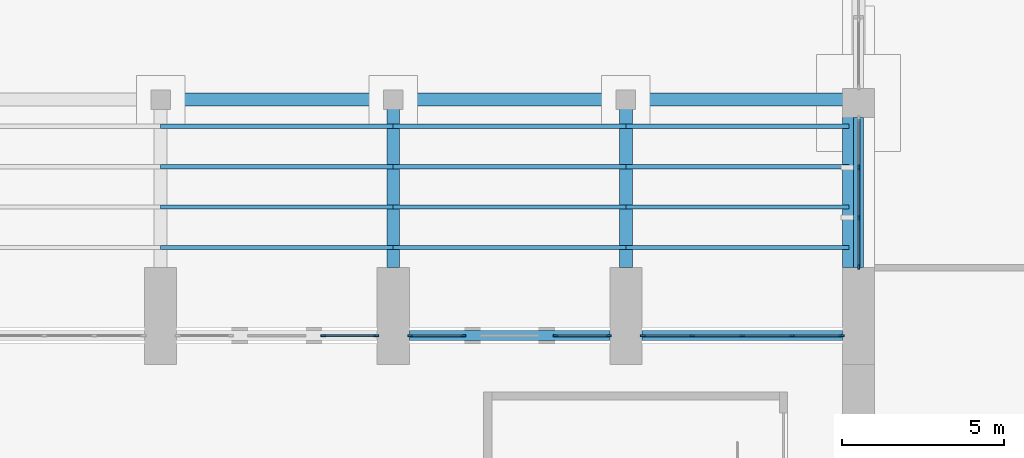
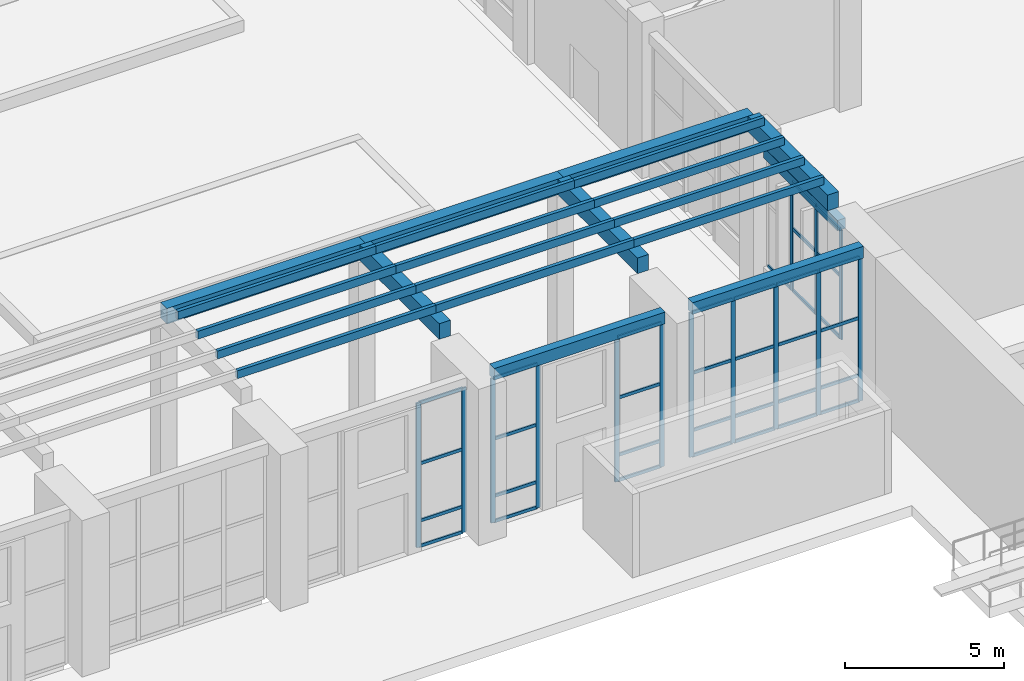
# One storey, part 21 of 70: 61 members, 9 beams, 5 elements without a shape of their own.
"""IFC4 building model written with IfcOpenShell, lengths in metres."""

from ifc_helpers import new_model, si_unit, direction, frame, origin, origin_2d, place, context, subcontext, project, spatial, rectangle, extrude, material, layer, layer_set, material_profile, profile_set, type_object, element, aggregate, save


model = new_model("IFC4")

# Units and contexts
model_context = context("Model", 3, precision=1e-05, world=origin(), true_north=direction((0.0, 1.0)))
body_context = subcontext(model_context, "Body", "Model", "MODEL_VIEW")
ifc_project = project(units=[si_unit("LENGTHUNIT", "METRE"), si_unit("AREAUNIT", "SQUARE_METRE"), si_unit("VOLUMEUNIT", "CUBIC_METRE"), si_unit("PLANEANGLEUNIT", "RADIAN"), si_unit("MASSUNIT", "GRAM", prefix="KILO")], contexts=[model_context])

# Site, building, storey
site_placement = place(None, origin())
site = spatial("IfcSite", under=ifc_project, at=site_placement, CompositionType="ELEMENT")
building_placement = place(site_placement, origin())
building = spatial("IfcBuilding", under=site, at=building_placement, Name="Vermilion Court Aquatics Centre", CompositionType="ELEMENT")
storey_placement = place(building_placement, origin())
storey = spatial("IfcBuildingStorey", under=building, at=storey_placement, Name="L00", CompositionType="ELEMENT", Elevation=0.0)

# Beams
ifc_material_1 = material(Name="Concrete 5000 psi", Category="concrete")
ifc_material_profile_1 = material_profile(ifc_material_1, rectangle(XDim=0.39990234375, YDim=0.60009765625, at=origin_2d()), Name="RC 400x600")
ifc_profile_set_1 = profile_set([ifc_material_profile_1], Name="Concrete 5000 psi")
beam_type_1 = type_object("IfcBeamType", Name="Court arcade beam RC 400x600", PredefinedType="BEAM", material=ifc_profile_set_1)
for number, where, z_axis, x_axis, name in (
    (1, (129.60009765625, 66.89990234375, 6.300048828125), (0.0, 1.0, 0.0), (-1.0, 0.0, 0.0), "Court arcade cross beam 17"),
    (2, (136.800048828125, 66.89990234375, 6.300048828125), (0.0, 1.0, 0.0), (-1.0, 0.0, 0.0), "Court arcade cross beam 18"),
    (3, (143.699951171875, 66.89990234375, 6.300048828125), (0.0, 1.0, 0.0), (-1.0, 0.0, 0.0), "Court arcade cross beam 19"),
):
    element("IfcBeam", number, at=place(storey_placement, frame(where, z_axis=z_axis, x_axis=x_axis)), inside=storey, type_object=beam_type_1, Name=name, PredefinedType="BEAM", context=body_context, shape_type="SweptSolid", body=[
        extrude(rectangle(XDim=0.39990234375, YDim=0.60009765625, at=origin_2d()), origin(), (0.0, 0.0, 1.0), 5.0),
    ])
beam_1_placement = place(storey_placement, frame((122.39990234375, 72.10009765625, 6.300048828125), z_axis=(1.0, 0.0, 0.0), x_axis=(0.0, 1.0, 0.0)))
element("IfcBeam", 4, at=beam_1_placement, inside=storey, type_object=beam_type_1, Name="Court arcade edge beam 16", PredefinedType="BEAM", context=body_context, shape_type="SweptSolid", body=[
    extrude(rectangle(XDim=0.39990234375, YDim=0.60009765625, at=origin_2d()), origin(), (0.0, 0.0, 1.0), 7.2001953125),
])
beam_2_placement = place(storey_placement, frame((129.60009765625, 72.10009765625, 6.300048828125), z_axis=(1.0, 0.0, 0.0), x_axis=(0.0, 1.0, 0.0)))
element("IfcBeam", 5, at=beam_2_placement, inside=storey, type_object=beam_type_1, Name="Court arcade edge beam 17", PredefinedType="BEAM", context=body_context, shape_type="SweptSolid", body=[
    extrude(rectangle(XDim=0.39990234375, YDim=0.60009765625, at=origin_2d()), origin(), (0.0, 0.0, 1.0), 7.199951171875),
])
beam_3_placement = place(storey_placement, frame((136.800048828125, 72.10009765625, 6.300048828125), z_axis=(1.0, 0.0, 0.0), x_axis=(0.0, 1.0, 0.0)))
element("IfcBeam", 6, at=beam_3_placement, inside=storey, type_object=beam_type_1, Name="Court arcade edge beam 18", PredefinedType="BEAM", context=body_context, shape_type="SweptSolid", body=[
    extrude(rectangle(XDim=0.39990234375, YDim=0.60009765625, at=origin_2d()), origin(), (0.0, 0.0, 1.0), 6.89990234375),
])

# Members
ifc_material_2 = material(Name="Glulam 24F-V4 Douglas fir", Category="wood")
ifc_material_profile_2 = material_profile(ifc_material_2, rectangle(XDim=0.1298828125, YDim=0.300048828125, at=origin_2d()), Name="GL24F 130x300")
ifc_profile_set_2 = profile_set([ifc_material_profile_2], Name="Glulam 24F-V4 Douglas fir")
member_type_1 = type_object("IfcMemberType", Name="Court arcade glulam slat GL24F 130x300", PredefinedType="MEMBER", material=ifc_profile_set_2)
for number, where, z_axis, x_axis, name in (
    (7, (122.39990234375, 67.52490234375, 6.75), (1.0, 0.0, 0.0), (0.0, 1.0, 0.0), "Court arcade slat 16.1"),
    (8, (122.39990234375, 68.77490234375, 6.75), (1.0, 0.0, 0.0), (0.0, 1.0, 0.0), "Court arcade slat 16.2"),
    (9, (122.39990234375, 70.02490234375, 6.75), (1.0, 0.0, 0.0), (0.0, 1.0, 0.0), "Court arcade slat 16.3"),
    (10, (122.39990234375, 71.27490234375, 6.75), (1.0, 0.0, 0.0), (0.0, 1.0, 0.0), "Court arcade slat 16.4"),
):
    element("IfcMember", number, at=place(storey_placement, frame(where, z_axis=z_axis, x_axis=x_axis)), inside=storey, type_object=member_type_1, Name=name, PredefinedType="MEMBER", context=body_context, shape_type="SweptSolid", body=[
        extrude(rectangle(XDim=0.1298828125, YDim=0.300048828125, at=origin_2d()), origin(), (0.0, 0.0, 1.0), 7.2001953125),
    ])
for number, where, z_axis, x_axis, name in (
    (11, (129.60009765625, 67.52490234375, 6.75), (1.0, 0.0, 0.0), (0.0, 1.0, 0.0), "Court arcade slat 17.1"),
    (12, (129.60009765625, 68.77490234375, 6.75), (1.0, 0.0, 0.0), (0.0, 1.0, 0.0), "Court arcade slat 17.2"),
    (13, (129.60009765625, 70.02490234375, 6.75), (1.0, 0.0, 0.0), (0.0, 1.0, 0.0), "Court arcade slat 17.3"),
    (14, (129.60009765625, 71.27490234375, 6.75), (1.0, 0.0, 0.0), (0.0, 1.0, 0.0), "Court arcade slat 17.4"),
):
    element("IfcMember", number, at=place(storey_placement, frame(where, z_axis=z_axis, x_axis=x_axis)), inside=storey, type_object=member_type_1, Name=name, PredefinedType="MEMBER", context=body_context, shape_type="SweptSolid", body=[
        extrude(rectangle(XDim=0.1298828125, YDim=0.300048828125, at=origin_2d()), origin(), (0.0, 0.0, 1.0), 7.199951171875),
    ])
for number, where, z_axis, x_axis, name in (
    (15, (136.800048828125, 67.52490234375, 6.75), (1.0, 0.0, 0.0), (0.0, 1.0, 0.0), "Court arcade slat 18.1"),
    (16, (136.800048828125, 68.77490234375, 6.75), (1.0, 0.0, 0.0), (0.0, 1.0, 0.0), "Court arcade slat 18.2"),
    (17, (136.800048828125, 70.02490234375, 6.75), (1.0, 0.0, 0.0), (0.0, 1.0, 0.0), "Court arcade slat 18.3"),
    (18, (136.800048828125, 71.27490234375, 6.75), (1.0, 0.0, 0.0), (0.0, 1.0, 0.0), "Court arcade slat 18.4"),
):
    element("IfcMember", number, at=place(storey_placement, frame(where, z_axis=z_axis, x_axis=x_axis)), inside=storey, type_object=member_type_1, Name=name, PredefinedType="MEMBER", context=body_context, shape_type="SweptSolid", body=[
        extrude(rectangle(XDim=0.1298828125, YDim=0.300048828125, at=origin_2d()), origin(), (0.0, 0.0, 1.0), 6.89990234375),
    ])

# Curtain wall, members
ifc_material_3 = material(Name="Aluminium 6063-T5", Category="aluminium")
curtain_wall_type_1 = type_object("IfcCurtainWallType", Name="Envelope curtain wall hall glazing L00", PredefinedType="NOTDEFINED", material=ifc_material_3)
curtain_wall_1_placement = place(storey_placement, origin())
curtain_wall_1 = element("IfcCurtainWall", 19, at=curtain_wall_1_placement, inside=storey, type_object=curtain_wall_type_1, Name="Hall entrance sidelight bay 16 L00 E", PredefinedType="NOTDEFINED")
ifc_material_4 = material(Name="Aluminium 6063-T5", Category="aluminium")
ifc_material_profile_3 = material_profile(ifc_material_4, rectangle(XDim=0.06005859375, YDim=0.159912109375, at=origin_2d()), Name="AL 60x160")
ifc_profile_set_3 = profile_set([ifc_material_profile_3], Name="Aluminium 6063-T5")
member_type_2 = type_object("IfcMemberType", Name="Envelope aluminium mullion 60x160", PredefinedType="MULLION", material=ifc_profile_set_3)
member_1_placement = place(storey_placement, frame((127.429931640625, 64.800048828125, 0.0), z_axis=(0.0, 0.0, 1.0), x_axis=(0.0, 1.0, 0.0)))
member_1 = element("IfcMember", 20, at=member_1_placement, type_object=member_type_2, Name="ECW1 mullion 1", PredefinedType="MULLION", context=body_context, shape_type="SweptSolid", body=[
    extrude(rectangle(XDim=0.06005859375, YDim=0.159912109375, at=origin_2d()), origin(), (0.0, 0.0, 1.0), 5.550048828125),
])
member_2_placement = place(storey_placement, frame((129.070068359375, 64.800048828125, 0.0), z_axis=(0.0, 0.0, 1.0), x_axis=(0.0, 1.0, 0.0)))
member_2 = element("IfcMember", 21, at=member_2_placement, type_object=member_type_2, Name="ECW1 mullion 2", PredefinedType="MULLION", context=body_context, shape_type="SweptSolid", body=[
    extrude(rectangle(XDim=0.06005859375, YDim=0.159912109375, at=origin_2d()), origin(), (0.0, 0.0, 1.0), 5.550048828125),
])

curtain_wall_2_placement = place(storey_placement, origin())
curtain_wall_2 = element("IfcCurtainWall", 22, at=curtain_wall_2_placement, inside=storey, type_object=curtain_wall_type_1, Name="Hall entrance sidelight bay 17 L00 W", PredefinedType="NOTDEFINED")
member_3_placement = place(storey_placement, frame((130.1298828125, 64.800048828125, 0.0), z_axis=(0.0, 0.0, 1.0), x_axis=(0.0, 1.0, 0.0)))
member_3 = element("IfcMember", 23, at=member_3_placement, type_object=member_type_2, Name="ECW1 mullion 1", PredefinedType="MULLION", context=body_context, shape_type="SweptSolid", body=[
    extrude(rectangle(XDim=0.06005859375, YDim=0.159912109375, at=origin_2d()), origin(), (0.0, 0.0, 1.0), 5.550048828125),
])
member_4_placement = place(storey_placement, frame((131.77001953125, 64.800048828125, 0.0), z_axis=(0.0, 0.0, 1.0), x_axis=(0.0, 1.0, 0.0)))
member_4 = element("IfcMember", 24, at=member_4_placement, type_object=member_type_2, Name="ECW1 mullion 2", PredefinedType="MULLION", context=body_context, shape_type="SweptSolid", body=[
    extrude(rectangle(XDim=0.06005859375, YDim=0.159912109375, at=origin_2d()), origin(), (0.0, 0.0, 1.0), 5.550048828125),
])

curtain_wall_3_placement = place(storey_placement, origin())
curtain_wall_3 = element("IfcCurtainWall", 25, at=curtain_wall_3_placement, inside=storey, type_object=curtain_wall_type_1, Name="Hall entrance sidelight bay 17 L00 E", PredefinedType="NOTDEFINED")
member_5_placement = place(storey_placement, frame((134.6298828125, 64.800048828125, 0.0), z_axis=(0.0, 0.0, 1.0), x_axis=(0.0, 1.0, 0.0)))
member_5 = element("IfcMember", 26, at=member_5_placement, type_object=member_type_2, Name="ECW1 mullion 1", PredefinedType="MULLION", context=body_context, shape_type="SweptSolid", body=[
    extrude(rectangle(XDim=0.06005859375, YDim=0.159912109375, at=origin_2d()), origin(), (0.0, 0.0, 1.0), 5.550048828125),
])
member_6_placement = place(storey_placement, frame((136.27001953125, 64.800048828125, 0.0), z_axis=(0.0, 0.0, 1.0), x_axis=(0.0, 1.0, 0.0)))
member_6 = element("IfcMember", 27, at=member_6_placement, type_object=member_type_2, Name="ECW1 mullion 2", PredefinedType="MULLION", context=body_context, shape_type="SweptSolid", body=[
    extrude(rectangle(XDim=0.06005859375, YDim=0.159912109375, at=origin_2d()), origin(), (0.0, 0.0, 1.0), 5.550048828125),
])

curtain_wall_4_placement = place(storey_placement, origin())
curtain_wall_4 = element("IfcCurtainWall", 28, at=curtain_wall_4_placement, inside=storey, type_object=curtain_wall_type_1, Name="Hall glazing bay 18 L00", PredefinedType="NOTDEFINED")
member_7_placement = place(storey_placement, frame((137.330078125, 64.800048828125, 0.0), z_axis=(0.0, 0.0, 1.0), x_axis=(0.0, 1.0, 0.0)))
member_7 = element("IfcMember", 29, at=member_7_placement, type_object=member_type_2, Name="ECW1 mullion 1", PredefinedType="MULLION", context=body_context, shape_type="SweptSolid", body=[
    extrude(rectangle(XDim=0.06005859375, YDim=0.159912109375, at=origin_2d()), origin(), (0.0, 0.0, 1.0), 5.550048828125),
])
member_8_placement = place(storey_placement, frame((138.85009765625, 64.800048828125, 0.0), z_axis=(0.0, 0.0, 1.0), x_axis=(0.0, 1.0, 0.0)))
member_8 = element("IfcMember", 30, at=member_8_placement, type_object=member_type_2, Name="ECW1 mullion 2", PredefinedType="MULLION", context=body_context, shape_type="SweptSolid", body=[
    extrude(rectangle(XDim=0.06005859375, YDim=0.159912109375, at=origin_2d()), origin(), (0.0, 0.0, 1.0), 5.550048828125),
])
member_9_placement = place(storey_placement, frame((140.39990234375, 64.800048828125, 0.0), z_axis=(0.0, 0.0, 1.0), x_axis=(0.0, 1.0, 0.0)))
member_9 = element("IfcMember", 31, at=member_9_placement, type_object=member_type_2, Name="ECW1 mullion 3", PredefinedType="MULLION", context=body_context, shape_type="SweptSolid", body=[
    extrude(rectangle(XDim=0.06005859375, YDim=0.159912109375, at=origin_2d()), origin(), (0.0, 0.0, 1.0), 5.550048828125),
])
member_10_placement = place(storey_placement, frame((141.949951171875, 64.800048828125, 0.0), z_axis=(0.0, 0.0, 1.0), x_axis=(0.0, 1.0, 0.0)))
member_10 = element("IfcMember", 32, at=member_10_placement, type_object=member_type_2, Name="ECW1 mullion 4", PredefinedType="MULLION", context=body_context, shape_type="SweptSolid", body=[
    extrude(rectangle(XDim=0.06005859375, YDim=0.159912109375, at=origin_2d()), origin(), (0.0, 0.0, 1.0), 5.550048828125),
])
member_11_placement = place(storey_placement, frame((143.469970703125, 64.800048828125, 0.0), z_axis=(0.0, 0.0, 1.0), x_axis=(0.0, 1.0, 0.0)))
member_11 = element("IfcMember", 33, at=member_11_placement, type_object=member_type_2, Name="ECW1 mullion 5", PredefinedType="MULLION", context=body_context, shape_type="SweptSolid", body=[
    extrude(rectangle(XDim=0.06005859375, YDim=0.159912109375, at=origin_2d()), origin(), (0.0, 0.0, 1.0), 5.550048828125),
])

# Member
ifc_material_5 = material(Name="Aluminium 6063-T5", Category="aluminium")
ifc_material_profile_4 = material_profile(ifc_material_5, rectangle(XDim=0.06005859375, YDim=0.1201171875, at=origin_2d()), Name="AL 60x120")
ifc_profile_set_4 = profile_set([ifc_material_profile_4], Name="Aluminium 6063-T5")
member_type_3 = type_object("IfcMemberType", Name="Envelope aluminium transom 60x120", PredefinedType="USERDEFINED", material=ifc_profile_set_4)
member_12_placement = place(storey_placement, frame((127.4599609375, 64.800048828125, 0.030029296875), z_axis=(1.0, 0.0, 0.0), x_axis=(0.0, 1.0, 0.0)))
member_12 = element("IfcMember", 34, at=member_12_placement, type_object=member_type_3, Name="ECW1 transom 1.1", ObjectType="TRANSOM", PredefinedType="USERDEFINED", context=body_context, shape_type="SweptSolid", body=[
    extrude(rectangle(XDim=0.06005859375, YDim=0.1201171875, at=origin_2d()), origin(), (0.0, 0.0, 1.0), 1.580078125),
])

member_13_placement = place(storey_placement, frame((127.4599609375, 64.800048828125, 1.0), z_axis=(1.0, 0.0, 0.0), x_axis=(0.0, 1.0, 0.0)))
member_13 = element("IfcMember", 35, at=member_13_placement, type_object=member_type_3, Name="ECW1 transom 1.2", ObjectType="TRANSOM", PredefinedType="USERDEFINED", context=body_context, shape_type="SweptSolid", body=[
    extrude(rectangle(XDim=0.06005859375, YDim=0.1201171875, at=origin_2d()), origin(), (0.0, 0.0, 1.0), 1.580078125),
])

member_14_placement = place(storey_placement, frame((127.4599609375, 64.800048828125, 3.199951171875), z_axis=(1.0, 0.0, 0.0), x_axis=(0.0, 1.0, 0.0)))
member_14 = element("IfcMember", 36, at=member_14_placement, type_object=member_type_3, Name="ECW1 transom 1.3", ObjectType="TRANSOM", PredefinedType="USERDEFINED", context=body_context, shape_type="SweptSolid", body=[
    extrude(rectangle(XDim=0.06005859375, YDim=0.1201171875, at=origin_2d()), origin(), (0.0, 0.0, 1.0), 1.580078125),
])

member_15_placement = place(storey_placement, frame((127.4599609375, 64.800048828125, 5.52001953125), z_axis=(1.0, 0.0, 0.0), x_axis=(0.0, 1.0, 0.0)))
member_15 = element("IfcMember", 37, at=member_15_placement, type_object=member_type_3, Name="ECW1 transom 1.4", ObjectType="TRANSOM", PredefinedType="USERDEFINED", context=body_context, shape_type="SweptSolid", body=[
    extrude(rectangle(XDim=0.06005859375, YDim=0.1201171875, at=origin_2d()), origin(), (0.0, 0.0, 1.0), 1.580078125),
])

aggregate(curtain_wall_1, [member_1, member_2, member_12, member_13, member_14, member_15])

member_16_placement = place(storey_placement, frame((130.159912109375, 64.800048828125, 0.030029296875), z_axis=(1.0, 0.0, 0.0), x_axis=(0.0, 1.0, 0.0)))
member_16 = element("IfcMember", 38, at=member_16_placement, type_object=member_type_3, Name="ECW1 transom 1.1", ObjectType="TRANSOM", PredefinedType="USERDEFINED", context=body_context, shape_type="SweptSolid", body=[
    extrude(rectangle(XDim=0.06005859375, YDim=0.1201171875, at=origin_2d()), origin(), (0.0, 0.0, 1.0), 1.580078125),
])

member_17_placement = place(storey_placement, frame((130.159912109375, 64.800048828125, 1.0), z_axis=(1.0, 0.0, 0.0), x_axis=(0.0, 1.0, 0.0)))
member_17 = element("IfcMember", 39, at=member_17_placement, type_object=member_type_3, Name="ECW1 transom 1.2", ObjectType="TRANSOM", PredefinedType="USERDEFINED", context=body_context, shape_type="SweptSolid", body=[
    extrude(rectangle(XDim=0.06005859375, YDim=0.1201171875, at=origin_2d()), origin(), (0.0, 0.0, 1.0), 1.580078125),
])

member_18_placement = place(storey_placement, frame((130.159912109375, 64.800048828125, 3.199951171875), z_axis=(1.0, 0.0, 0.0), x_axis=(0.0, 1.0, 0.0)))
member_18 = element("IfcMember", 40, at=member_18_placement, type_object=member_type_3, Name="ECW1 transom 1.3", ObjectType="TRANSOM", PredefinedType="USERDEFINED", context=body_context, shape_type="SweptSolid", body=[
    extrude(rectangle(XDim=0.06005859375, YDim=0.1201171875, at=origin_2d()), origin(), (0.0, 0.0, 1.0), 1.580078125),
])

member_19_placement = place(storey_placement, frame((130.159912109375, 64.800048828125, 5.52001953125), z_axis=(1.0, 0.0, 0.0), x_axis=(0.0, 1.0, 0.0)))
member_19 = element("IfcMember", 41, at=member_19_placement, type_object=member_type_3, Name="ECW1 transom 1.4", ObjectType="TRANSOM", PredefinedType="USERDEFINED", context=body_context, shape_type="SweptSolid", body=[
    extrude(rectangle(XDim=0.06005859375, YDim=0.1201171875, at=origin_2d()), origin(), (0.0, 0.0, 1.0), 1.580078125),
])

aggregate(curtain_wall_2, [member_3, member_4, member_16, member_17, member_18, member_19])

member_20_placement = place(storey_placement, frame((134.659912109375, 64.800048828125, 0.030029296875), z_axis=(1.0, 0.0, 0.0), x_axis=(0.0, 1.0, 0.0)))
member_20 = element("IfcMember", 42, at=member_20_placement, type_object=member_type_3, Name="ECW1 transom 1.1", ObjectType="TRANSOM", PredefinedType="USERDEFINED", context=body_context, shape_type="SweptSolid", body=[
    extrude(rectangle(XDim=0.06005859375, YDim=0.1201171875, at=origin_2d()), origin(), (0.0, 0.0, 1.0), 1.580078125),
])

member_21_placement = place(storey_placement, frame((134.659912109375, 64.800048828125, 1.0), z_axis=(1.0, 0.0, 0.0), x_axis=(0.0, 1.0, 0.0)))
member_21 = element("IfcMember", 43, at=member_21_placement, type_object=member_type_3, Name="ECW1 transom 1.2", ObjectType="TRANSOM", PredefinedType="USERDEFINED", context=body_context, shape_type="SweptSolid", body=[
    extrude(rectangle(XDim=0.06005859375, YDim=0.1201171875, at=origin_2d()), origin(), (0.0, 0.0, 1.0), 1.580078125),
])

member_22_placement = place(storey_placement, frame((134.659912109375, 64.800048828125, 3.199951171875), z_axis=(1.0, 0.0, 0.0), x_axis=(0.0, 1.0, 0.0)))
member_22 = element("IfcMember", 44, at=member_22_placement, type_object=member_type_3, Name="ECW1 transom 1.3", ObjectType="TRANSOM", PredefinedType="USERDEFINED", context=body_context, shape_type="SweptSolid", body=[
    extrude(rectangle(XDim=0.06005859375, YDim=0.1201171875, at=origin_2d()), origin(), (0.0, 0.0, 1.0), 1.580078125),
])

member_23_placement = place(storey_placement, frame((134.659912109375, 64.800048828125, 5.52001953125), z_axis=(1.0, 0.0, 0.0), x_axis=(0.0, 1.0, 0.0)))
member_23 = element("IfcMember", 45, at=member_23_placement, type_object=member_type_3, Name="ECW1 transom 1.4", ObjectType="TRANSOM", PredefinedType="USERDEFINED", context=body_context, shape_type="SweptSolid", body=[
    extrude(rectangle(XDim=0.06005859375, YDim=0.1201171875, at=origin_2d()), origin(), (0.0, 0.0, 1.0), 1.580078125),
])

aggregate(curtain_wall_3, [member_5, member_6, member_20, member_21, member_22, member_23])

member_24_placement = place(storey_placement, frame((137.360107421875, 64.800048828125, 0.030029296875), z_axis=(1.0, 0.0, 0.0), x_axis=(0.0, 1.0, 0.0)))
member_24 = element("IfcMember", 46, at=member_24_placement, type_object=member_type_3, Name="ECW1 transom 1.1", ObjectType="TRANSOM", PredefinedType="USERDEFINED", context=body_context, shape_type="SweptSolid", body=[
    extrude(rectangle(XDim=0.06005859375, YDim=0.1201171875, at=origin_2d()), origin(), (0.0, 0.0, 1.0), 1.4599609375),
])

member_25_placement = place(storey_placement, frame((137.360107421875, 64.800048828125, 1.0), z_axis=(1.0, 0.0, 0.0), x_axis=(0.0, 1.0, 0.0)))
member_25 = element("IfcMember", 47, at=member_25_placement, type_object=member_type_3, Name="ECW1 transom 1.2", ObjectType="TRANSOM", PredefinedType="USERDEFINED", context=body_context, shape_type="SweptSolid", body=[
    extrude(rectangle(XDim=0.06005859375, YDim=0.1201171875, at=origin_2d()), origin(), (0.0, 0.0, 1.0), 1.4599609375),
])

member_26_placement = place(storey_placement, frame((137.360107421875, 64.800048828125, 3.199951171875), z_axis=(1.0, 0.0, 0.0), x_axis=(0.0, 1.0, 0.0)))
member_26 = element("IfcMember", 48, at=member_26_placement, type_object=member_type_3, Name="ECW1 transom 1.3", ObjectType="TRANSOM", PredefinedType="USERDEFINED", context=body_context, shape_type="SweptSolid", body=[
    extrude(rectangle(XDim=0.06005859375, YDim=0.1201171875, at=origin_2d()), origin(), (0.0, 0.0, 1.0), 1.4599609375),
])

member_27_placement = place(storey_placement, frame((137.360107421875, 64.800048828125, 5.52001953125), z_axis=(1.0, 0.0, 0.0), x_axis=(0.0, 1.0, 0.0)))
member_27 = element("IfcMember", 49, at=member_27_placement, type_object=member_type_3, Name="ECW1 transom 1.4", ObjectType="TRANSOM", PredefinedType="USERDEFINED", context=body_context, shape_type="SweptSolid", body=[
    extrude(rectangle(XDim=0.06005859375, YDim=0.1201171875, at=origin_2d()), origin(), (0.0, 0.0, 1.0), 1.4599609375),
])

member_28_placement = place(storey_placement, frame((138.8798828125, 64.800048828125, 0.030029296875), z_axis=(1.0, 0.0, 0.0), x_axis=(0.0, 1.0, 0.0)))
member_28 = element("IfcMember", 50, at=member_28_placement, type_object=member_type_3, Name="ECW1 transom 2.1", ObjectType="TRANSOM", PredefinedType="USERDEFINED", context=body_context, shape_type="SweptSolid", body=[
    extrude(rectangle(XDim=0.06005859375, YDim=0.1201171875, at=origin_2d()), origin(), (0.0, 0.0, 1.0), 1.490234375),
])

member_29_placement = place(storey_placement, frame((138.8798828125, 64.800048828125, 1.0), z_axis=(1.0, 0.0, 0.0), x_axis=(0.0, 1.0, 0.0)))
member_29 = element("IfcMember", 51, at=member_29_placement, type_object=member_type_3, Name="ECW1 transom 2.2", ObjectType="TRANSOM", PredefinedType="USERDEFINED", context=body_context, shape_type="SweptSolid", body=[
    extrude(rectangle(XDim=0.06005859375, YDim=0.1201171875, at=origin_2d()), origin(), (0.0, 0.0, 1.0), 1.490234375),
])

member_30_placement = place(storey_placement, frame((138.8798828125, 64.800048828125, 3.199951171875), z_axis=(1.0, 0.0, 0.0), x_axis=(0.0, 1.0, 0.0)))
member_30 = element("IfcMember", 52, at=member_30_placement, type_object=member_type_3, Name="ECW1 transom 2.3", ObjectType="TRANSOM", PredefinedType="USERDEFINED", context=body_context, shape_type="SweptSolid", body=[
    extrude(rectangle(XDim=0.06005859375, YDim=0.1201171875, at=origin_2d()), origin(), (0.0, 0.0, 1.0), 1.490234375),
])

member_31_placement = place(storey_placement, frame((138.8798828125, 64.800048828125, 5.52001953125), z_axis=(1.0, 0.0, 0.0), x_axis=(0.0, 1.0, 0.0)))
member_31 = element("IfcMember", 53, at=member_31_placement, type_object=member_type_3, Name="ECW1 transom 2.4", ObjectType="TRANSOM", PredefinedType="USERDEFINED", context=body_context, shape_type="SweptSolid", body=[
    extrude(rectangle(XDim=0.06005859375, YDim=0.1201171875, at=origin_2d()), origin(), (0.0, 0.0, 1.0), 1.490234375),
])

member_32_placement = place(storey_placement, frame((140.429931640625, 64.800048828125, 0.030029296875), z_axis=(1.0, 0.0, 0.0), x_axis=(0.0, 1.0, 0.0)))
member_32 = element("IfcMember", 54, at=member_32_placement, type_object=member_type_3, Name="ECW1 transom 3.1", ObjectType="TRANSOM", PredefinedType="USERDEFINED", context=body_context, shape_type="SweptSolid", body=[
    extrude(rectangle(XDim=0.06005859375, YDim=0.1201171875, at=origin_2d()), origin(), (0.0, 0.0, 1.0), 1.489990234375),
])

member_33_placement = place(storey_placement, frame((140.429931640625, 64.800048828125, 1.0), z_axis=(1.0, 0.0, 0.0), x_axis=(0.0, 1.0, 0.0)))
member_33 = element("IfcMember", 55, at=member_33_placement, type_object=member_type_3, Name="ECW1 transom 3.2", ObjectType="TRANSOM", PredefinedType="USERDEFINED", context=body_context, shape_type="SweptSolid", body=[
    extrude(rectangle(XDim=0.06005859375, YDim=0.1201171875, at=origin_2d()), origin(), (0.0, 0.0, 1.0), 1.489990234375),
])

member_34_placement = place(storey_placement, frame((140.429931640625, 64.800048828125, 3.199951171875), z_axis=(1.0, 0.0, 0.0), x_axis=(0.0, 1.0, 0.0)))
member_34 = element("IfcMember", 56, at=member_34_placement, type_object=member_type_3, Name="ECW1 transom 3.3", ObjectType="TRANSOM", PredefinedType="USERDEFINED", context=body_context, shape_type="SweptSolid", body=[
    extrude(rectangle(XDim=0.06005859375, YDim=0.1201171875, at=origin_2d()), origin(), (0.0, 0.0, 1.0), 1.489990234375),
])

member_35_placement = place(storey_placement, frame((140.429931640625, 64.800048828125, 5.52001953125), z_axis=(1.0, 0.0, 0.0), x_axis=(0.0, 1.0, 0.0)))
member_35 = element("IfcMember", 57, at=member_35_placement, type_object=member_type_3, Name="ECW1 transom 3.4", ObjectType="TRANSOM", PredefinedType="USERDEFINED", context=body_context, shape_type="SweptSolid", body=[
    extrude(rectangle(XDim=0.06005859375, YDim=0.1201171875, at=origin_2d()), origin(), (0.0, 0.0, 1.0), 1.489990234375),
])

member_36_placement = place(storey_placement, frame((141.97998046875, 64.800048828125, 0.030029296875), z_axis=(1.0, 0.0, 0.0), x_axis=(0.0, 1.0, 0.0)))
member_36 = element("IfcMember", 58, at=member_36_placement, type_object=member_type_3, Name="ECW1 transom 4.1", ObjectType="TRANSOM", PredefinedType="USERDEFINED", context=body_context, shape_type="SweptSolid", body=[
    extrude(rectangle(XDim=0.06005859375, YDim=0.1201171875, at=origin_2d()), origin(), (0.0, 0.0, 1.0), 1.4599609375),
])

member_37_placement = place(storey_placement, frame((141.97998046875, 64.800048828125, 1.0), z_axis=(1.0, 0.0, 0.0), x_axis=(0.0, 1.0, 0.0)))
member_37 = element("IfcMember", 59, at=member_37_placement, type_object=member_type_3, Name="ECW1 transom 4.2", ObjectType="TRANSOM", PredefinedType="USERDEFINED", context=body_context, shape_type="SweptSolid", body=[
    extrude(rectangle(XDim=0.06005859375, YDim=0.1201171875, at=origin_2d()), origin(), (0.0, 0.0, 1.0), 1.4599609375),
])

member_38_placement = place(storey_placement, frame((141.97998046875, 64.800048828125, 3.199951171875), z_axis=(1.0, 0.0, 0.0), x_axis=(0.0, 1.0, 0.0)))
member_38 = element("IfcMember", 60, at=member_38_placement, type_object=member_type_3, Name="ECW1 transom 4.3", ObjectType="TRANSOM", PredefinedType="USERDEFINED", context=body_context, shape_type="SweptSolid", body=[
    extrude(rectangle(XDim=0.06005859375, YDim=0.1201171875, at=origin_2d()), origin(), (0.0, 0.0, 1.0), 1.4599609375),
])

member_39_placement = place(storey_placement, frame((141.97998046875, 64.800048828125, 5.52001953125), z_axis=(1.0, 0.0, 0.0), x_axis=(0.0, 1.0, 0.0)))
member_39 = element("IfcMember", 61, at=member_39_placement, type_object=member_type_3, Name="ECW1 transom 4.4", ObjectType="TRANSOM", PredefinedType="USERDEFINED", context=body_context, shape_type="SweptSolid", body=[
    extrude(rectangle(XDim=0.06005859375, YDim=0.1201171875, at=origin_2d()), origin(), (0.0, 0.0, 1.0), 1.4599609375),
])

aggregate(curtain_wall_4, [member_7, member_8, member_9, member_10, member_11, member_24, member_25, member_26, member_27, member_28, member_29, member_30, member_31, member_32, member_33, member_34, member_35, member_36, member_37, member_38, member_39])

# Beams
ifc_material_6 = material(Name="Concrete 5000 psi", Category="concrete")
ifc_material_profile_5 = material_profile(ifc_material_6, rectangle(XDim=0.300048828125, YDim=0.449951171875, at=origin_2d()), Name="RC 300x450")
ifc_profile_set_5 = profile_set([ifc_material_profile_5], Name="Concrete 5000 psi")
beam_type_2 = type_object("IfcBeamType", Name="Envelope north wall head beam RC 300x450", PredefinedType="BEAM", material=ifc_profile_set_5)
for number, where, z_axis, x_axis, name in (
    (62, (130.10009765625, 64.800048828125, 5.77490234375), (1.0, 0.0, 0.0), (0.0, 1.0, 0.0), "North wall head beam 17"),
    (63, (137.300048828125, 64.800048828125, 5.77490234375), (1.0, 0.0, 0.0), (0.0, 1.0, 0.0), "North wall head beam 18"),
):
    element("IfcBeam", number, at=place(storey_placement, frame(where, z_axis=z_axis, x_axis=x_axis)), inside=storey, type_object=beam_type_2, Name=name, PredefinedType="BEAM", context=body_context, shape_type="SweptSolid", body=[
        extrude(rectangle(XDim=0.300048828125, YDim=0.449951171875, at=origin_2d()), origin(), (0.0, 0.0, 1.0), 6.199951171875),
    ])

# Curtain wall, members
ifc_material_7 = material(Name="Aluminium 6063-T5", Category="aluminium")
ifc_layer = layer(ifc_material_7, 0.14990234375)
ifc_layer_set = layer_set([ifc_layer], Name="Podium curtain wall bay, 1800 module")
curtain_wall_type_2 = type_object("IfcCurtainWallType", Name="Podium curtain wall bay, 1800 module", PredefinedType="NOTDEFINED", material=ifc_layer_set)
curtain_wall_5_placement = place(storey_placement, origin())
curtain_wall_5 = element("IfcCurtainWall", 64, at=curtain_wall_5_placement, inside=storey, type_object=curtain_wall_type_2, Name="Curtain wall L00", PredefinedType="NOTDEFINED")
ifc_material_8 = material(Name="Aluminium 6063-T5", Category="aluminium")
ifc_material_profile_6 = material_profile(ifc_material_8, rectangle(XDim=0.06005859375, YDim=0.159912109375, at=origin_2d()), Name="Mullion 60x160")
ifc_profile_set_6 = profile_set([ifc_material_profile_6], Name="Aluminium 6063-T5")
member_type_4 = type_object("IfcMemberType", Name="Podium curtain wall mullion 60x160", PredefinedType="MULLION", material=ifc_profile_set_6)
member_40_placement = place(storey_placement, frame((144.0, 66.929931640625, 0.89990234375), z_axis=(0.0, 0.0, 1.0), x_axis=(-1.0, 0.0, 0.0)))
member_40 = element("IfcMember", 65, at=member_40_placement, type_object=member_type_4, Name="PG2 mullion 1", PredefinedType="MULLION", context=body_context, shape_type="SweptSolid", body=[
    extrude(rectangle(XDim=0.06005859375, YDim=0.159912109375, at=origin_2d()), origin(), (0.0, 0.0, 1.0), 4.2001953125),
])
member_41_placement = place(storey_placement, frame((144.0, 68.449951171875, 0.89990234375), z_axis=(0.0, 0.0, 1.0), x_axis=(-1.0, 0.0, 0.0)))
member_41 = element("IfcMember", 66, at=member_41_placement, type_object=member_type_4, Name="PG2 mullion 2", PredefinedType="MULLION", context=body_context, shape_type="SweptSolid", body=[
    extrude(rectangle(XDim=0.06005859375, YDim=0.159912109375, at=origin_2d()), origin(), (0.0, 0.0, 1.0), 4.2001953125),
])
member_42_placement = place(storey_placement, frame((144.0, 70.0, 0.89990234375), z_axis=(0.0, 0.0, 1.0), x_axis=(-1.0, 0.0, 0.0)))
member_42 = element("IfcMember", 67, at=member_42_placement, type_object=member_type_4, Name="PG2 mullion 3", PredefinedType="MULLION", context=body_context, shape_type="SweptSolid", body=[
    extrude(rectangle(XDim=0.06005859375, YDim=0.159912109375, at=origin_2d()), origin(), (0.0, 0.0, 1.0), 4.2001953125),
])
ifc_material_9 = material(Name="Aluminium 6063-T5", Category="aluminium")
ifc_material_profile_7 = material_profile(ifc_material_9, rectangle(XDim=0.06005859375, YDim=0.1201171875, at=origin_2d()), Name="Transom 60x120")
ifc_profile_set_7 = profile_set([ifc_material_profile_7], Name="Aluminium 6063-T5")
member_type_5 = type_object("IfcMemberType", Name="Podium curtain wall transom 60x120", PredefinedType="USERDEFINED", material=ifc_profile_set_7)
member_43_placement = place(storey_placement, frame((144.0, 66.9599609375, 0.929931640625), z_axis=(0.0, 1.0, 0.0), x_axis=(-1.0, 0.0, 0.0)))
member_43 = element("IfcMember", 68, at=member_43_placement, type_object=member_type_5, Name="PG2 transom 1.1", ObjectType="TRANSOM", PredefinedType="USERDEFINED", context=body_context, shape_type="SweptSolid", body=[
    extrude(rectangle(XDim=0.06005859375, YDim=0.1201171875, at=origin_2d()), origin(), (0.0, 0.0, 1.0), 1.4599609375),
])
member_44_placement = place(storey_placement, frame((144.0, 66.9599609375, 3.300048828125), z_axis=(0.0, 1.0, 0.0), x_axis=(-1.0, 0.0, 0.0)))
member_44 = element("IfcMember", 69, at=member_44_placement, type_object=member_type_5, Name="PG2 transom 1.2", ObjectType="TRANSOM", PredefinedType="USERDEFINED", context=body_context, shape_type="SweptSolid", body=[
    extrude(rectangle(XDim=0.06005859375, YDim=0.1201171875, at=origin_2d()), origin(), (0.0, 0.0, 1.0), 1.4599609375),
])
member_45_placement = place(storey_placement, frame((144.0, 66.9599609375, 5.070068359375), z_axis=(0.0, 1.0, 0.0), x_axis=(-1.0, 0.0, 0.0)))
member_45 = element("IfcMember", 70, at=member_45_placement, type_object=member_type_5, Name="PG2 transom 1.3", ObjectType="TRANSOM", PredefinedType="USERDEFINED", context=body_context, shape_type="SweptSolid", body=[
    extrude(rectangle(XDim=0.06005859375, YDim=0.1201171875, at=origin_2d()), origin(), (0.0, 0.0, 1.0), 1.4599609375),
])
member_46_placement = place(storey_placement, frame((144.0, 68.47998046875, 0.929931640625), z_axis=(0.0, 1.0, 0.0), x_axis=(-1.0, 0.0, 0.0)))
member_46 = element("IfcMember", 71, at=member_46_placement, type_object=member_type_5, Name="PG2 transom 2.1", ObjectType="TRANSOM", PredefinedType="USERDEFINED", context=body_context, shape_type="SweptSolid", body=[
    extrude(rectangle(XDim=0.06005859375, YDim=0.1201171875, at=origin_2d()), origin(), (0.0, 0.0, 1.0), 1.489990234375),
])
member_47_placement = place(storey_placement, frame((144.0, 68.47998046875, 3.300048828125), z_axis=(0.0, 1.0, 0.0), x_axis=(-1.0, 0.0, 0.0)))
member_47 = element("IfcMember", 72, at=member_47_placement, type_object=member_type_5, Name="PG2 transom 2.2", ObjectType="TRANSOM", PredefinedType="USERDEFINED", context=body_context, shape_type="SweptSolid", body=[
    extrude(rectangle(XDim=0.06005859375, YDim=0.1201171875, at=origin_2d()), origin(), (0.0, 0.0, 1.0), 1.489990234375),
])
member_48_placement = place(storey_placement, frame((144.0, 68.47998046875, 5.070068359375), z_axis=(0.0, 1.0, 0.0), x_axis=(-1.0, 0.0, 0.0)))
member_48 = element("IfcMember", 73, at=member_48_placement, type_object=member_type_5, Name="PG2 transom 2.3", ObjectType="TRANSOM", PredefinedType="USERDEFINED", context=body_context, shape_type="SweptSolid", body=[
    extrude(rectangle(XDim=0.06005859375, YDim=0.1201171875, at=origin_2d()), origin(), (0.0, 0.0, 1.0), 1.489990234375),
])
member_49_placement = place(storey_placement, frame((144.0, 70.030029296875, 0.929931640625), z_axis=(0.0, 1.0, 0.0), x_axis=(-1.0, 0.0, 0.0)))
member_49 = element("IfcMember", 74, at=member_49_placement, type_object=member_type_5, Name="PG2 transom 3.1", ObjectType="TRANSOM", PredefinedType="USERDEFINED", context=body_context, shape_type="SweptSolid", body=[
    extrude(rectangle(XDim=0.06005859375, YDim=0.1201171875, at=origin_2d()), origin(), (0.0, 0.0, 1.0), 1.4599609375),
])
aggregate(curtain_wall_5, [member_40, member_41, member_42, member_43, member_44, member_45, member_46, member_47, member_48, member_49])

# Beam
ifc_material_10 = material(Name="Concrete 5000 psi", Category="concrete")
ifc_material_profile_8 = material_profile(ifc_material_10, rectangle(XDim=0.300048828125, YDim=0.39990234375, at=origin_2d()), Name="RC 300x400")
ifc_profile_set_8 = profile_set([ifc_material_profile_8], Name="Concrete 5000 psi")
beam_type_3 = type_object("IfcBeamType", Name="Podium spandrel beam RC 300x400", PredefinedType="BEAM", material=ifc_profile_set_8)
beam_4_placement = place(storey_placement, frame((144.0, 66.89990234375, 5.300048828125), z_axis=(0.0, 1.0, 0.0), x_axis=(-1.0, 0.0, 0.0)))
element("IfcBeam", 75, at=beam_4_placement, inside=storey, type_object=beam_type_3, Name="Spandrel beam L00", PredefinedType="BEAM", context=body_context, shape_type="SweptSolid", body=[
    extrude(rectangle(XDim=0.300048828125, YDim=0.39990234375, at=origin_2d()), origin(), (0.0, 0.0, 1.0), 4.650146484375),
])

save(model, "model.ifc")
